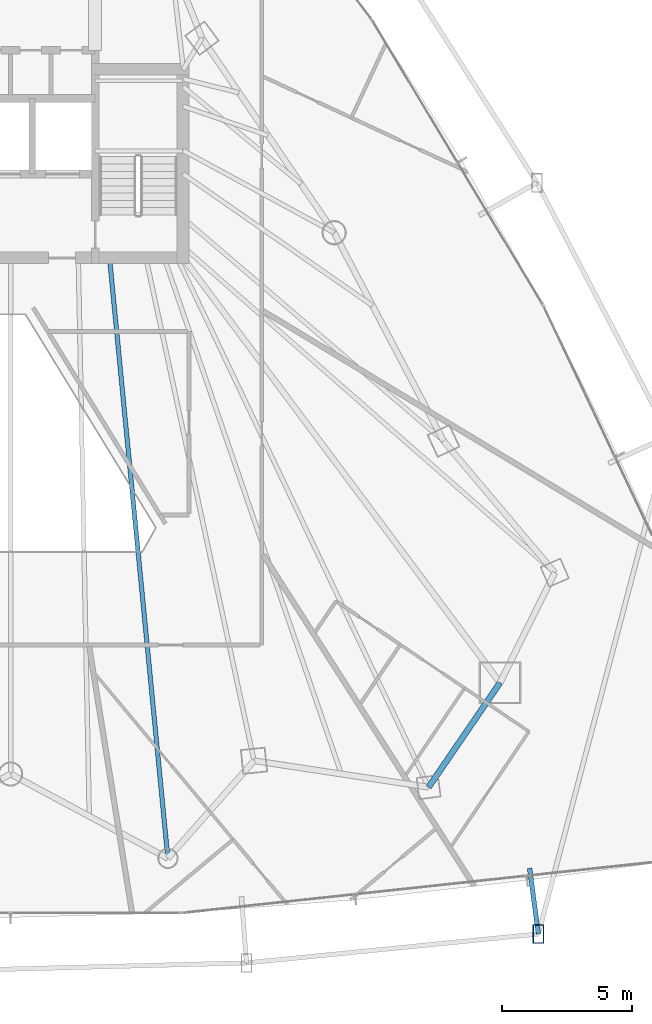
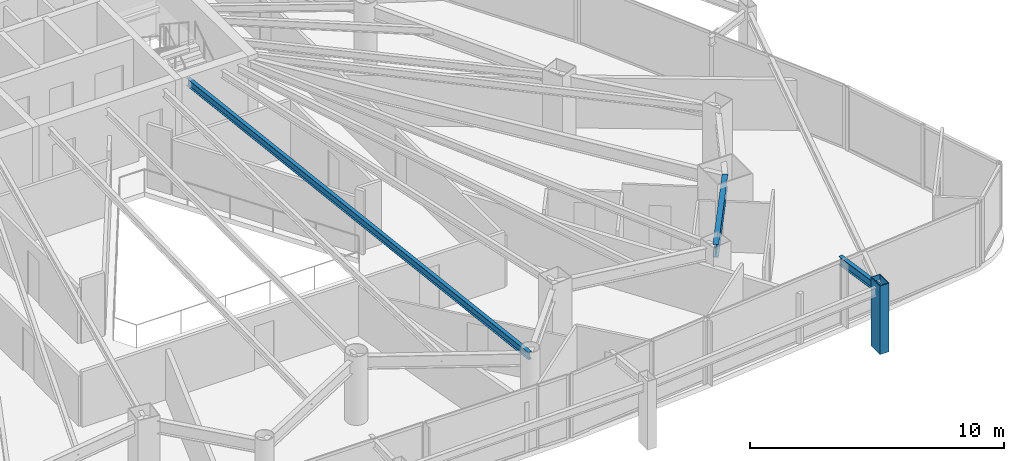
# One storey, part 15 of 38: 3 beams, 1 member.
"""IFC4 building model written with IfcOpenShell, lengths in metres."""

from ifc_helpers import new_model, si_unit, direction, frame, origin, origin_2d, place, context, subcontext, project, spatial, hollow_rectangle, i_section, extrude, material, material_profile, profile_set, type_object, element, save


model = new_model("IFC4")

# Units and contexts
model_context = context("Model", 3, precision=1e-05, world=origin(), true_north=direction((0.0, 1.0)))
body_context = subcontext(model_context, "Body", "Model", "MODEL_VIEW")
ifc_project = project(units=[si_unit("LENGTHUNIT", "METRE"), si_unit("AREAUNIT", "SQUARE_METRE"), si_unit("VOLUMEUNIT", "CUBIC_METRE"), si_unit("PLANEANGLEUNIT", "RADIAN"), si_unit("MASSUNIT", "GRAM", prefix="KILO")], contexts=[model_context])

# Site, building, storey
site_placement = place(None, origin())
site = spatial("IfcSite", under=ifc_project, at=site_placement, CompositionType="ELEMENT")
building_placement = place(site_placement, origin())
building = spatial("IfcBuilding", under=site, at=building_placement, Name="Orvanel Arch Residences", CompositionType="ELEMENT")
storey_placement = place(building_placement, frame((0.0, 0.0, 43.39990234375)))
storey = spatial("IfcBuildingStorey", under=building, at=storey_placement, Name="L11", CompositionType="ELEMENT", Elevation=43.39990234375)

# Beam
ifc_material_1 = material(Name="Structural steel AS/NZS 3679.1 Grade 300 (300 MPa)", Category="steel")
ifc_material_profile_1 = material_profile(ifc_material_1, i_section(OverallWidth=0.1708984375, OverallDepth=0.35595703125, WebThickness=0.00732421875, FlangeThickness=0.011474609375, at=origin_2d()), Name="360UB50.7")
ifc_profile_set_1 = profile_set([ifc_material_profile_1], Name="Structural steel AS/NZS 3679.1 Grade 300 (300 MPa)")
beam_type_1 = type_object("IfcBeamType", Name="BJ-360UB", PredefinedType="JOIST", material=ifc_profile_set_1)
beam_1_placement = place(storey_placement, frame((36.800048828125, 26.675048828125, 2.882080078125), z_axis=(0.096724091756, -0.995311232768, 0.0), x_axis=(0.995311232768, 0.096724091756, 0.0)))
element("IfcBeam", 1, at=beam_1_placement, inside=storey, type_object=beam_type_1, Name="L11 LSE Wing Floor Joist", PredefinedType="JOIST", context=body_context, shape_type="SweptSolid", body=[
    extrude(i_section(OverallWidth=0.1708984375, OverallDepth=0.35595703125, WebThickness=0.00732421875, FlangeThickness=0.011474609375, at=origin_2d()), origin(), (0.0, 0.0, 1.0), 23.1787109375),
])

# Member
ifc_material_2 = material(Name="Structural steel AS/NZS 3678 Grade 350", Category="steel")
ifc_material_profile_2 = material_profile(ifc_material_2, hollow_rectangle(XDim=0.419921875, YDim=0.719970703125, WallThickness=0.02490234375, at=origin_2d()), Name="RHS720x420x25")
ifc_profile_set_2 = profile_set([ifc_material_profile_2], Name="Structural steel AS/NZS 3678 Grade 350")
member_type = type_object("IfcMemberType", Name="CH-720RHS-EXT", PredefinedType="CHORD", material=ifc_profile_set_2)
member_placement = place(storey_placement, frame((53.27587890625, 0.699951171875, 0.0), z_axis=(0.0, 0.0, 1.0), x_axis=(1.0, 0.0, 0.0)))
element("IfcMember", 2, at=member_placement, inside=storey, type_object=member_type, Name="L11 Outer Perimeter Frame Post 08", PredefinedType="CHORD", context=body_context, shape_type="SweptSolid", body=[
    extrude(hollow_rectangle(XDim=0.419921875, YDim=0.719970703125, WallThickness=0.02490234375, at=origin_2d()), origin(), (0.0, 0.0, 1.0), 3.300048828125),
])

# Beams
ifc_material_profile_3 = material_profile(ifc_material_1, i_section(OverallWidth=0.177978515625, OverallDepth=0.406005859375, WebThickness=0.0078125, FlangeThickness=0.0126953125, at=origin_2d()), Name="410UB59.7")
ifc_profile_set_3 = profile_set([ifc_material_profile_3], Name="Structural steel AS/NZS 3679.1 Grade 300 (300 MPa)")
beam_type_2 = type_object("IfcBeamType", Name="OB-410UB-EXT", PredefinedType="SPANDREL", material=ifc_profile_set_3)
beam_2_placement = place(storey_placement, frame((52.93798828125, 3.22802734375, 2.857177734375), z_axis=(0.132477208655, -0.991186051752, 0.0), x_axis=(0.991186051752, 0.132477208655, 0.0)))
element("IfcBeam", 3, at=beam_2_placement, inside=storey, type_object=beam_type_2, Name="L11 Outer Frame Radial Tie Beam 08", PredefinedType="SPANDREL", context=body_context, shape_type="SweptSolid", body=[
    extrude(i_section(OverallWidth=0.177978515625, OverallDepth=0.406005859375, WebThickness=0.0078125, FlangeThickness=0.0126953125, at=origin_2d()), origin(), (0.0, 0.0, 1.0), 2.550537109375),
])
ifc_material_profile_4 = material_profile(ifc_material_1, i_section(OverallWidth=0.22900390625, OverallDepth=0.612060546875, WebThickness=0.011962890625, FlangeThickness=0.01953125, at=origin_2d()), Name="610UB125")
ifc_profile_set_4 = profile_set([ifc_material_profile_4], Name="Structural steel AS/NZS 3679.1 Grade 300 (300 MPa)")
beam_type_3 = type_object("IfcBeamType", Name="SP-610UB", PredefinedType="SPANDREL", material=ifc_profile_set_4)
beam_3_placement = place(storey_placement, frame((49.05908203125, 6.339111328125, 2.754150390625), z_axis=(0.564251579852, 0.825602903722, 0.0), x_axis=(-0.825602903722, 0.564251579852, 0.0)))
element("IfcBeam", 4, at=beam_3_placement, inside=storey, type_object=beam_type_3, Name="L11 Perimeter Spandrel Beam 10", PredefinedType="SPANDREL", context=body_context, shape_type="SweptSolid", body=[
    extrude(i_section(OverallWidth=0.22900390625, OverallDepth=0.612060546875, WebThickness=0.011962890625, FlangeThickness=0.01953125, at=origin_2d()), origin(), (0.0, 0.0, 1.0), 4.859375),
])

save(model, "model.ifc")
